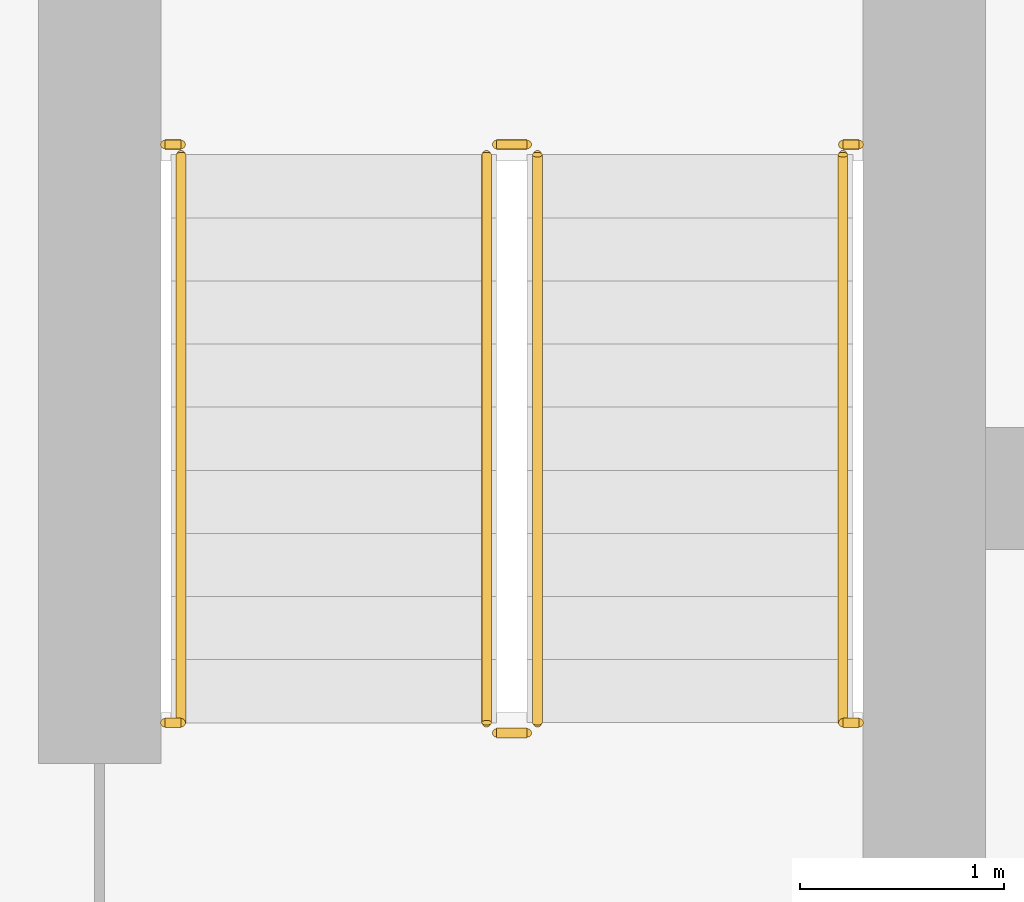
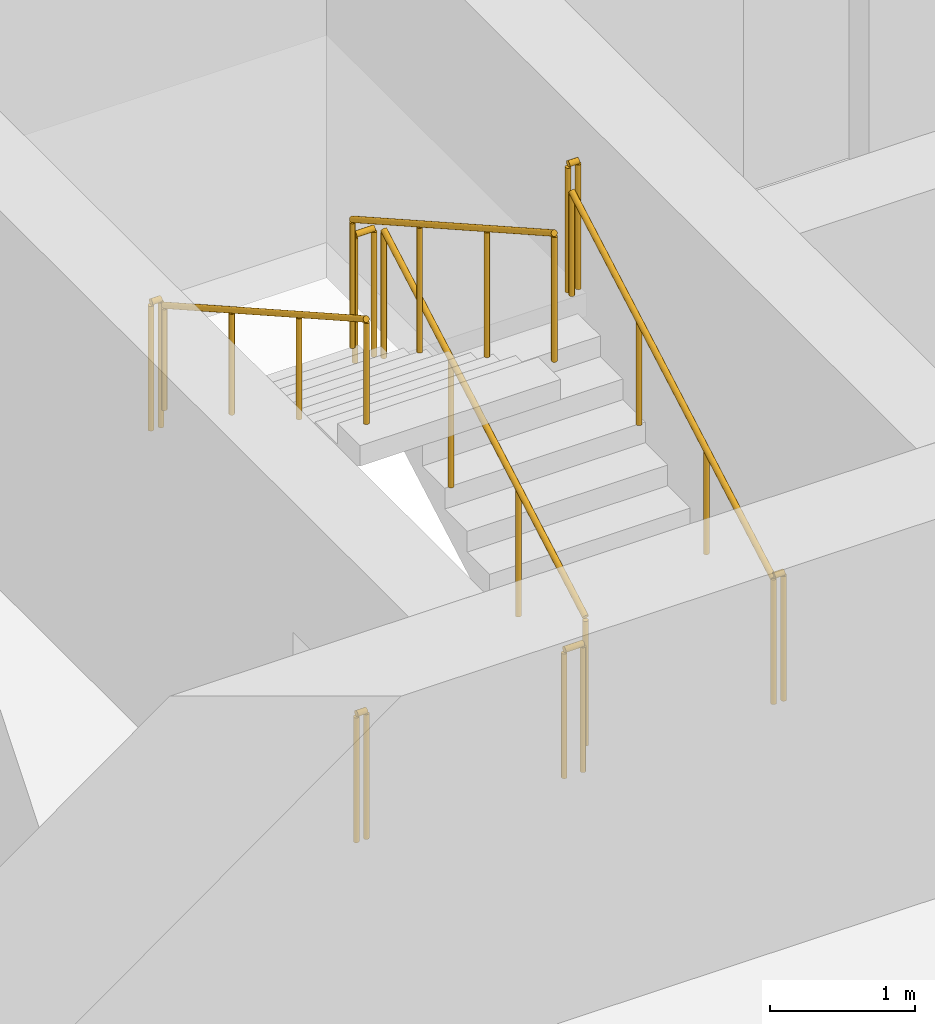
# One storey, part 18 of 22: 10 railings.
"""IFC4 building model written with IfcOpenShell, lengths in metres."""

from ifc_helpers import new_model, si_unit, direction, frame, origin, origin_2d, place, context, subcontext, project, spatial, circle, extrude, material, type_object, element, save


model = new_model("IFC4")

# Units and contexts
model_context = context("Model", 3, precision=1e-05, world=origin(), true_north=direction((0.0, 1.0)))
body_context = subcontext(model_context, "Body", "Model", "MODEL_VIEW")
ifc_project = project(units=[si_unit("LENGTHUNIT", "METRE"), si_unit("AREAUNIT", "SQUARE_METRE"), si_unit("VOLUMEUNIT", "CUBIC_METRE"), si_unit("PLANEANGLEUNIT", "RADIAN"), si_unit("MASSUNIT", "GRAM", prefix="KILO")], contexts=[model_context])

# Site, building, storey
site_placement = place(None, origin())
site = spatial("IfcSite", under=ifc_project, at=site_placement, CompositionType="ELEMENT")
building_placement = place(site_placement, origin())
building = spatial("IfcBuilding", under=site, at=building_placement, Name="Madar Terraces", CompositionType="ELEMENT")
storey_placement = place(building_placement, frame((0.0, 0.0, 163.0)))
storey = spatial("IfcBuildingStorey", under=building, at=storey_placement, Name="L42", CompositionType="ELEMENT", Elevation=163.0)

# Railings
ifc_material_1 = material(Name="Stainless steel railing", Category="steel")
railing_type_1 = type_object("IfcRailingType", Name="Stair guard 1100", PredefinedType="GUARDRAIL", material=ifc_material_1)
railing_1_placement = place(storey_placement, frame((21.199951171875, 17.60009765625, 0.175048828125)))
element("IfcRailing", 1, at=railing_1_placement, inside=storey, type_object=railing_type_1, Name="L42 ST1 stair guard 1", PredefinedType="GUARDRAIL", context=body_context, shape_type="SweptSolid", body=[
    extrude(circle(Radius=0.02392578125, at=origin_2d()), frame((0.0, 0.0, 1.076171875), z_axis=(0.0, 0.870815363784, 0.491610213684), x_axis=(-1.0, 0.0, 0.0)), (0.0, 0.0, 1.0), 3.20361328125),
    extrude(circle(Radius=0.02099609375, at=origin_2d()), origin(), (0.0, 0.0, 1.0), 1.052001953125),
    extrude(circle(Radius=0.02099609375, at=origin_2d()), frame((0.0, 0.929931640625, 0.52490234375)), (0.0, 0.0, 1.0), 1.052001953125),
    extrude(circle(Radius=0.02099609375, at=origin_2d()), frame((0.0, 1.85986328125, 1.050048828125)), (0.0, 0.0, 1.0), 1.052001953125),
    extrude(circle(Radius=0.02099609375, at=origin_2d()), frame((0.0, 2.789794921875, 1.574951171875)), (0.0, 0.0, 1.0), 1.052001953125),
])
railing_2_placement = place(storey_placement, frame((21.14990234375, 20.43994140625, 1.75)))
element("IfcRailing", 2, at=railing_2_placement, inside=storey, type_object=railing_type_1, Name="L42 ST1 stair guard 2", PredefinedType="GUARDRAIL", context=body_context, shape_type="SweptSolid", body=[
    extrude(circle(Radius=0.02392578125, at=origin_2d()), frame((0.0, 0.0, 1.076171875), z_axis=(-1.0, 0.0, 0.0), x_axis=(0.0, -1.0, 0.0)), (0.0, 0.0, 1.0), 0.14990234375),
    extrude(circle(Radius=0.02099609375, at=origin_2d()), origin(), (0.0, 0.0, 1.0), 1.052001953125),
    extrude(circle(Radius=0.02099609375, at=origin_2d()), frame((-0.14990234375, 0.0, 0.0)), (0.0, 0.0, 1.0), 1.052001953125),
])
railing_3_placement = place(storey_placement, frame((20.949951171875, 20.389892578125, 1.925048828125)))
element("IfcRailing", 3, at=railing_3_placement, inside=storey, type_object=railing_type_1, Name="L42 ST1 stair guard 3", PredefinedType="GUARDRAIL", context=body_context, shape_type="SweptSolid", body=[
    extrude(circle(Radius=0.02392578125, at=origin_2d()), frame((0.0, 0.0, 1.076171875), z_axis=(0.0, -0.870815363784, 0.491610213684), x_axis=(1.0, 0.0, 0.0)), (0.0, 0.0, 1.0), 3.20361328125),
    extrude(circle(Radius=0.02099609375, at=origin_2d()), origin(), (0.0, 0.0, 1.0), 1.052001953125),
    extrude(circle(Radius=0.02099609375, at=origin_2d()), frame((0.0, -0.929931640625, 0.52490234375)), (0.0, 0.0, 1.0), 1.052001953125),
    extrude(circle(Radius=0.02099609375, at=origin_2d()), frame((0.0, -1.85986328125, 1.050048828125)), (0.0, 0.0, 1.0), 1.052001953125),
    extrude(circle(Radius=0.02099609375, at=origin_2d()), frame((0.0, -2.789794921875, 1.574951171875)), (0.0, 0.0, 1.0), 1.052001953125),
])
railing_4_placement = place(storey_placement, frame((21.14990234375, 17.550048828125, 0.0)))
element("IfcRailing", 4, at=railing_4_placement, inside=storey, type_object=railing_type_1, Name="L42 ST1 stair guard 4", PredefinedType="GUARDRAIL", context=body_context, shape_type="SweptSolid", body=[
    extrude(circle(Radius=0.02392578125, at=origin_2d()), frame((0.0, 0.0, 1.076171875), z_axis=(-1.0, 0.0, 0.0), x_axis=(0.0, -1.0, 0.0)), (0.0, 0.0, 1.0), 0.14990234375),
    extrude(circle(Radius=0.02099609375, at=origin_2d()), origin(), (0.0, 0.0, 1.0), 1.052001953125),
    extrude(circle(Radius=0.02099609375, at=origin_2d()), frame((-0.14990234375, 0.0, 0.0)), (0.0, 0.0, 1.0), 1.052001953125),
])
railing_5_placement = place(storey_placement, frame((19.3701171875, 20.43994140625, 1.75)))
element("IfcRailing", 5, at=railing_5_placement, inside=storey, type_object=railing_type_1, Name="L42 stair guard seat 1", PredefinedType="GUARDRAIL", context=body_context, shape_type="SweptSolid", body=[
    extrude(circle(Radius=0.02392578125, at=origin_2d()), frame((0.0, 0.0, 1.076171875), z_axis=(1.0, 0.0, 0.0), x_axis=(0.0, 1.0, 0.0)), (0.0, 0.0, 1.0), 0.079833984375),
    extrude(circle(Radius=0.02099609375, at=origin_2d()), origin(), (0.0, 0.0, 1.0), 1.052001953125),
    extrude(circle(Radius=0.02099609375, at=origin_2d()), frame((0.079833984375, 0.0, 0.0)), (0.0, 0.0, 1.0), 1.052001953125),
])
railing_6_placement = place(storey_placement, frame((22.699951171875, 20.43994140625, 1.75)))
element("IfcRailing", 6, at=railing_6_placement, inside=storey, type_object=railing_type_1, Name="L42 stair guard seat 2", PredefinedType="GUARDRAIL", context=body_context, shape_type="SweptSolid", body=[
    extrude(circle(Radius=0.02392578125, at=origin_2d()), frame((0.0, 0.0, 1.076171875), z_axis=(1.0, 0.0, 0.0), x_axis=(0.0, 1.0, 0.0)), (0.0, 0.0, 1.0), 0.080078125),
    extrude(circle(Radius=0.02099609375, at=origin_2d()), origin(), (0.0, 0.0, 1.0), 1.052001953125),
    extrude(circle(Radius=0.02099609375, at=origin_2d()), frame((0.080078125, 0.0, 0.0)), (0.0, 0.0, 1.0), 1.052001953125),
])
railing_7_placement = place(storey_placement, frame((19.3701171875, 17.60009765625, 0.0)))
element("IfcRailing", 7, at=railing_7_placement, inside=storey, type_object=railing_type_1, Name="L42 stair guard floor 1", PredefinedType="GUARDRAIL", context=body_context, shape_type="SweptSolid", body=[
    extrude(circle(Radius=0.02392578125, at=origin_2d()), frame((0.0, 0.0, 1.076171875), z_axis=(1.0, 0.0, 0.0), x_axis=(0.0, 1.0, 0.0)), (0.0, 0.0, 1.0), 0.079833984375),
    extrude(circle(Radius=0.02099609375, at=origin_2d()), origin(), (0.0, 0.0, 1.0), 1.052001953125),
    extrude(circle(Radius=0.02099609375, at=origin_2d()), frame((0.079833984375, 0.0, 0.0)), (0.0, 0.0, 1.0), 1.052001953125),
])
railing_8_placement = place(storey_placement, frame((22.699951171875, 17.60009765625, 0.0)))
element("IfcRailing", 8, at=railing_8_placement, inside=storey, type_object=railing_type_1, Name="L42 stair guard floor 2", PredefinedType="GUARDRAIL", context=body_context, shape_type="SweptSolid", body=[
    extrude(circle(Radius=0.02392578125, at=origin_2d()), frame((0.0, 0.0, 1.076171875), z_axis=(1.0, 0.0, 0.0), x_axis=(0.0, 1.0, 0.0)), (0.0, 0.0, 1.0), 0.080078125),
    extrude(circle(Radius=0.02099609375, at=origin_2d()), origin(), (0.0, 0.0, 1.0), 1.052001953125),
    extrude(circle(Radius=0.02099609375, at=origin_2d()), frame((0.080078125, 0.0, 0.0)), (0.0, 0.0, 1.0), 1.052001953125),
])
ifc_material_2 = material(Name="Stainless steel railing", Category="steel")
railing_type_2 = type_object("IfcRailingType", Name="Stair handrail 900", PredefinedType="HANDRAIL", material=ifc_material_2)
railing_9_placement = place(storey_placement, frame((22.699951171875, 17.60009765625, 0.175048828125)))
element("IfcRailing", 9, at=railing_9_placement, inside=storey, type_object=railing_type_2, Name="L42 ST1 stair handrail 1", PredefinedType="HANDRAIL", context=body_context, shape_type="SweptSolid", body=[
    extrude(circle(Radius=0.02392578125, at=origin_2d()), frame((0.0, 0.0, 0.8759765625), z_axis=(0.0, 0.870815363784, 0.491610213684), x_axis=(-1.0, 0.0, 0.0)), (0.0, 0.0, 1.0), 3.20361328125),
    extrude(circle(Radius=0.02099609375, at=origin_2d()), origin(), (0.0, 0.0, 1.0), 0.851806640625),
    extrude(circle(Radius=0.02099609375, at=origin_2d()), frame((0.0, 0.929931640625, 0.52490234375)), (0.0, 0.0, 1.0), 0.851806640625),
    extrude(circle(Radius=0.02099609375, at=origin_2d()), frame((0.0, 1.85986328125, 1.050048828125)), (0.0, 0.0, 1.0), 0.851806640625),
    extrude(circle(Radius=0.02099609375, at=origin_2d()), frame((0.0, 2.789794921875, 1.574951171875)), (0.0, 0.0, 1.0), 0.851806640625),
])
railing_10_placement = place(storey_placement, frame((19.449951171875, 20.389892578125, 1.925048828125)))
element("IfcRailing", 10, at=railing_10_placement, inside=storey, type_object=railing_type_2, Name="L42 ST1 stair handrail 2", PredefinedType="HANDRAIL", context=body_context, shape_type="SweptSolid", body=[
    extrude(circle(Radius=0.02392578125, at=origin_2d()), frame((0.0, 0.0, 0.8759765625), z_axis=(0.0, -0.870815363784, 0.491610213684), x_axis=(1.0, 0.0, 0.0)), (0.0, 0.0, 1.0), 3.20361328125),
    extrude(circle(Radius=0.02099609375, at=origin_2d()), origin(), (0.0, 0.0, 1.0), 0.851806640625),
    extrude(circle(Radius=0.02099609375, at=origin_2d()), frame((0.0, -0.929931640625, 0.52490234375)), (0.0, 0.0, 1.0), 0.851806640625),
    extrude(circle(Radius=0.02099609375, at=origin_2d()), frame((0.0, -1.85986328125, 1.050048828125)), (0.0, 0.0, 1.0), 0.851806640625),
    extrude(circle(Radius=0.02099609375, at=origin_2d()), frame((0.0, -2.789794921875, 1.574951171875)), (0.0, 0.0, 1.0), 0.851806640625),
])

save(model, "model.ifc")
